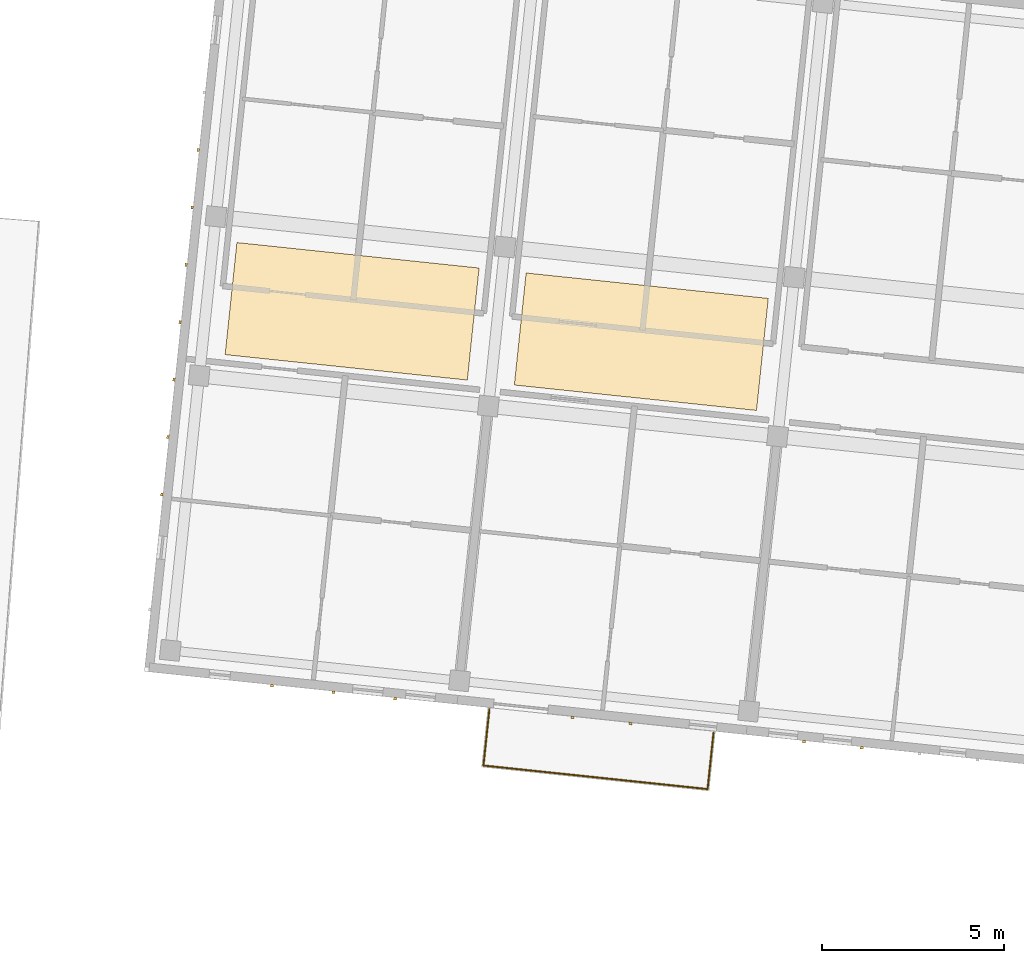
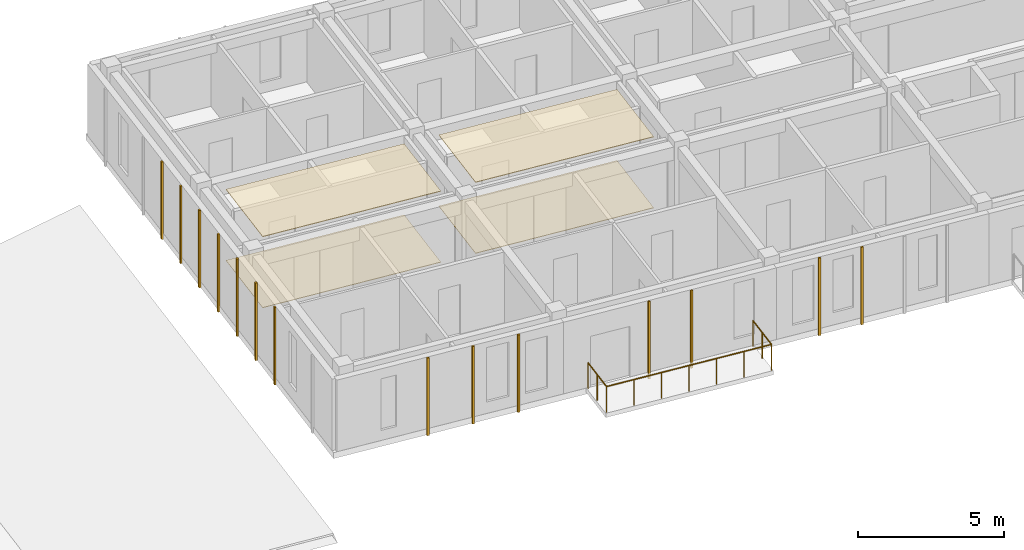
# One storey, part 63 of 74: 18 coverings, 1 railing.
"""IFC4 building model written with IfcOpenShell, lengths in metres."""

from ifc_helpers import new_model, si_unit, direction, frame, origin, origin_2d, place, context, subcontext, project, spatial, polyline, rectangle, circle, outline, extrude, material, layer, layer_set, type_object, element, save


model = new_model("IFC4")

# Units and contexts
model_context = context("Model", 3, precision=1e-05, world=origin(), true_north=direction((0.0, 1.0)))
body_context = subcontext(model_context, "Body", "Model", "MODEL_VIEW")
ifc_project = project(units=[si_unit("LENGTHUNIT", "METRE"), si_unit("AREAUNIT", "SQUARE_METRE"), si_unit("VOLUMEUNIT", "CUBIC_METRE"), si_unit("PLANEANGLEUNIT", "RADIAN"), si_unit("MASSUNIT", "GRAM", prefix="KILO")], contexts=[model_context])

# Site, building, storey
site_placement = place(None, origin())
site = spatial("IfcSite", under=ifc_project, at=site_placement, CompositionType="ELEMENT")
building_placement = place(site_placement, origin())
building = spatial("IfcBuilding", under=site, at=building_placement, Name="Kestramere Prow Commons", CompositionType="ELEMENT")
storey_placement = place(building_placement, frame((0.0, 0.0, 11.64990234375)))
storey = spatial("IfcBuildingStorey", under=building, at=storey_placement, Name="L03", CompositionType="ELEMENT", Elevation=11.64990234375)

# Coverings
ifc_material_1 = material(Name="Mineral Fibre Acoustic Ceiling Tile")
ifc_layer_1 = layer(ifc_material_1, 0.02490234375)
ifc_layer_set_1 = layer_set([ifc_layer_1], Name="Mineral Fibre Acoustic Ceiling Tile")
covering_type_1 = type_object("IfcCoveringType", Name="COV-CEIL-ACOUSTIC", PredefinedType="CEILING", material=ifc_layer_set_1)
covering_1_placement = place(storey_placement, frame((0.0, 0.0, 2.97509765625)))
element("IfcCovering", 1, at=covering_1_placement, inside=storey, type_object=covering_type_1, Name="Block B L03 Corridor Acoustic Ceiling 1", PredefinedType="CEILING", context=body_context, shape_type="SweptSolid", body=[
    extrude(outline(polyline([(111.5087890625, 102.936767578125), (118.172119140625, 102.236572265625), (118.49609375, 105.319580078125), (111.832763671875, 106.019775390625), (111.5087890625, 102.936767578125)])), origin(), (0.0, 0.0, 1.0), 0.02490234375),
])
covering_2_placement = place(storey_placement, frame((0.0, 0.0, 2.97509765625)))
element("IfcCovering", 2, at=covering_2_placement, inside=storey, type_object=covering_type_1, Name="Block B L03 Corridor Acoustic Ceiling 2", PredefinedType="CEILING", context=body_context, shape_type="SweptSolid", body=[
    extrude(outline(polyline([(119.465087890625, 102.1005859375), (126.128173828125, 101.400390625), (126.452392578125, 104.4833984375), (119.7890625, 105.18359375), (119.465087890625, 102.1005859375)])), origin(), (0.0, 0.0, 1.0), 0.02490234375),
])
ifc_material_2 = material(Name="Weathered Zinc-Titanium Standing-Seam Cladding")
ifc_layer_2 = layer(ifc_material_2, 0.074951171875)
ifc_layer_set_2 = layer_set([ifc_layer_2], Name="Weathered Zinc-Titanium Standing-Seam Cladding")
covering_type_2 = type_object("IfcCoveringType", Name="COV-CLAD-SEAM", PredefinedType="CLADDING", material=ifc_layer_set_2)
for number, where, z_axis, x_axis, name in (
    (3, (116.189697265625, 93.46826171875, -0.25), (0.0, 0.0, 1.0), (-0.994521895368, 0.104528463268, 0.0), "EW-B-L03-S-0 Standing-Seam Rib 1"),
    (4, (114.494140625, 93.646484375, -0.25), (0.0, 0.0, 1.0), (-0.994521895368, 0.104528463268, 0.0), "EW-B-L03-S-0 Standing-Seam Rib 2"),
    (5, (112.79833984375, 93.82470703125, -0.25), (0.0, 0.0, 1.0), (-0.994521895368, 0.104528463268, 0.0), "EW-B-L03-S-0 Standing-Seam Rib 3"),
    (6, (122.6591796875, 92.788330078125, -0.25), (0.0, 0.0, 1.0), (-0.994521895368, 0.104528463268, 0.0), "EW-B-L03-S-1 Standing-Seam Rib 2"),
    (7, (121.06787109375, 92.95556640625, -0.25), (0.0, 0.0, 1.0), (-0.994521895368, 0.104528463268, 0.0), "EW-B-L03-S-1 Standing-Seam Rib 3"),
    (8, (129.02392578125, 92.119384765625, -0.25), (0.0, 0.0, 1.0), (-0.994521895368, 0.104528463268, 0.0), "EW-B-L03-S-2 Standing-Seam Rib 3"),
    (9, (127.432861328125, 92.28662109375, -0.25), (0.0, 0.0, 1.0), (-0.994521895368, 0.104528463268, 0.0), "EW-B-L03-S-2 Standing-Seam Rib 4"),
    (10, (109.76953125, 99.087890625, -0.25), (0.0, 0.0, 1.0), (0.104528463268, 0.994521895368, 0.0), "EW-B-L03-EAV Standing-Seam Rib 3"),
    (11, (109.935546875, 100.667724609375, -0.25), (0.0, 0.0, 1.0), (0.104528463268, 0.994521895368, 0.0), "EW-B-L03-EAV Standing-Seam Rib 4"),
    (12, (110.1015625, 102.24755859375, -0.25), (0.0, 0.0, 1.0), (0.104528463268, 0.994521895368, 0.0), "EW-B-L03-EAV Standing-Seam Rib 5"),
    (13, (110.267578125, 103.8271484375, -0.25), (0.0, 0.0, 1.0), (0.104528463268, 0.994521895368, 0.0), "EW-B-L03-EAV Standing-Seam Rib 6"),
    (14, (110.43359375, 105.406982421875, -0.25), (0.0, 0.0, 1.0), (0.104528463268, 0.994521895368, 0.0), "EW-B-L03-EAV Standing-Seam Rib 7"),
    (15, (110.599609375, 106.98681640625, -0.25), (0.0, 0.0, 1.0), (0.104528463268, 0.994521895368, 0.0), "EW-B-L03-EAV Standing-Seam Rib 8"),
    (16, (110.765625, 108.566650390625, -0.25), (0.0, 0.0, 1.0), (0.104528463268, 0.994521895368, 0.0), "EW-B-L03-EAV Standing-Seam Rib 9"),
):
    element("IfcCovering", number, at=place(storey_placement, frame(where, z_axis=z_axis, x_axis=x_axis)), inside=storey, type_object=covering_type_2, Name=name, PredefinedType="CLADDING", context=body_context, shape_type="SweptSolid", body=[
        extrude(rectangle(XDim=0.0849609375, YDim=0.06494140625, at=origin_2d()), origin(), (0.0, 0.0, 1.0), 3.25),
    ])
ifc_material_3 = material(Name="Honed Cementitious Terrazzo Tile")
ifc_layer_3 = layer(ifc_material_3, 0.02001953125)
ifc_layer_set_3 = layer_set([ifc_layer_3], Name="Honed Cementitious Terrazzo Tile")
covering_type_3 = type_object("IfcCoveringType", Name="COV-FLOOR-TERRAZZO", PredefinedType="FLOORING", material=ifc_layer_set_3)
covering_3_placement = place(storey_placement, origin())
element("IfcCovering", 17, at=covering_3_placement, inside=storey, type_object=covering_type_3, Name="Block B L03 Corridor Terrazzo Flooring 1", PredefinedType="FLOORING", context=body_context, shape_type="SweptSolid", body=[
    extrude(outline(polyline([(111.5087890625, 102.936767578125), (118.172119140625, 102.236572265625), (118.49609375, 105.319580078125), (111.832763671875, 106.019775390625), (111.5087890625, 102.936767578125)])), origin(), (0.0, 0.0, 1.0), 0.02001953125),
])
covering_4_placement = place(storey_placement, origin())
element("IfcCovering", 18, at=covering_4_placement, inside=storey, type_object=covering_type_3, Name="Block B L03 Corridor Terrazzo Flooring 2", PredefinedType="FLOORING", context=body_context, shape_type="SweptSolid", body=[
    extrude(outline(polyline([(119.465087890625, 102.1005859375), (126.128173828125, 101.400390625), (126.452392578125, 104.4833984375), (119.7890625, 105.18359375), (119.465087890625, 102.1005859375)])), origin(), (0.0, 0.0, 1.0), 0.02001953125),
])

# Railing
ifc_material_4 = material(Name="Powder-Coated Aluminium 6063-T6", Category="aluminium")
railing_type = type_object("IfcRailingType", Name="GRD-BALC-1100", PredefinedType="BALUSTRADE", material=ifc_material_4)
railing_placement = place(storey_placement, frame((118.779052734375, 93.18359375, 0.0)))
element("IfcRailing", 19, at=railing_placement, inside=storey, type_object=railing_type, Name="Block B L03 Balcony Guardrail 2", PredefinedType="BALUSTRADE", context=body_context, shape_type="SweptSolid", body=[
    extrude(circle(Radius=0.02392578125, at=origin_2d()), frame((0.0, 0.0, 1.076171875), z_axis=(-0.104538150424, -0.994520877159, 0.0), x_axis=(0.994520877159, -0.104538150424, 0.0)), (0.0, 0.0, 1.0), 1.56005859375),
    extrude(circle(Radius=0.02392578125, at=origin_2d()), frame((-0.1630859375, -1.551513671875, 1.076171875), z_axis=(0.994519899862, -0.104547447503, 0.0), x_axis=(0.104547447503, 0.994519899862, 0.0)), (0.0, 0.0, 1.0), 6.199951171875),
    extrude(circle(Radius=0.02392578125, at=origin_2d()), frame((6.0029296875, -2.19970703125, 1.076171875), z_axis=(0.104538150424, 0.994520877159, 0.0), x_axis=(-0.994520877159, 0.104538150424, 0.0)), (0.0, 0.0, 1.0), 1.56005859375),
    extrude(circle(Radius=0.02099609375, at=origin_2d()), origin(), (0.0, 0.0, 1.0), 1.052001953125),
    extrude(circle(Radius=0.02099609375, at=origin_2d()), frame((-0.08154296875, -0.77587890625, 0.0)), (0.0, 0.0, 1.0), 1.052001953125),
    extrude(circle(Radius=0.02099609375, at=origin_2d()), frame((-0.1630859375, -1.551513671875, 0.0)), (0.0, 0.0, 1.0), 1.052001953125),
    extrude(circle(Radius=0.02099609375, at=origin_2d()), frame((0.864501953125, -1.65966796875, 0.0)), (0.0, 0.0, 1.0), 1.052001953125),
    extrude(circle(Radius=0.02099609375, at=origin_2d()), frame((1.892333984375, -1.767578125, 0.0)), (0.0, 0.0, 1.0), 1.052001953125),
    extrude(circle(Radius=0.02099609375, at=origin_2d()), frame((2.919921875, -1.87548828125, 0.0)), (0.0, 0.0, 1.0), 1.052001953125),
    extrude(circle(Radius=0.02099609375, at=origin_2d()), frame((3.947509765625, -1.983642578125, 0.0)), (0.0, 0.0, 1.0), 1.052001953125),
    extrude(circle(Radius=0.02099609375, at=origin_2d()), frame((4.975341796875, -2.091796875, 0.0)), (0.0, 0.0, 1.0), 1.052001953125),
    extrude(circle(Radius=0.02099609375, at=origin_2d()), frame((6.0029296875, -2.19970703125, 0.0)), (0.0, 0.0, 1.0), 1.052001953125),
    extrude(circle(Radius=0.02099609375, at=origin_2d()), frame((6.08447265625, -1.423828125, 0.0)), (0.0, 0.0, 1.0), 1.052001953125),
    extrude(circle(Radius=0.02099609375, at=origin_2d()), frame((6.166015625, -0.648193359375, 0.0)), (0.0, 0.0, 1.0), 1.052001953125),
])

save(model, "model.ifc")
